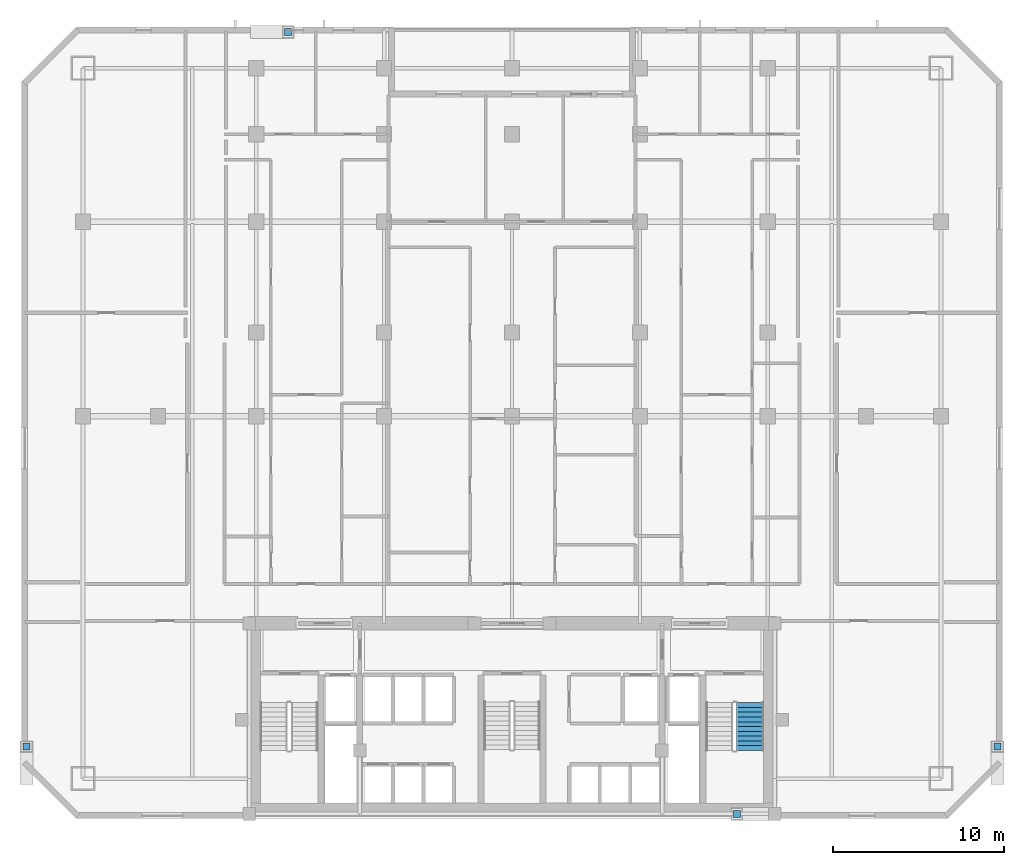
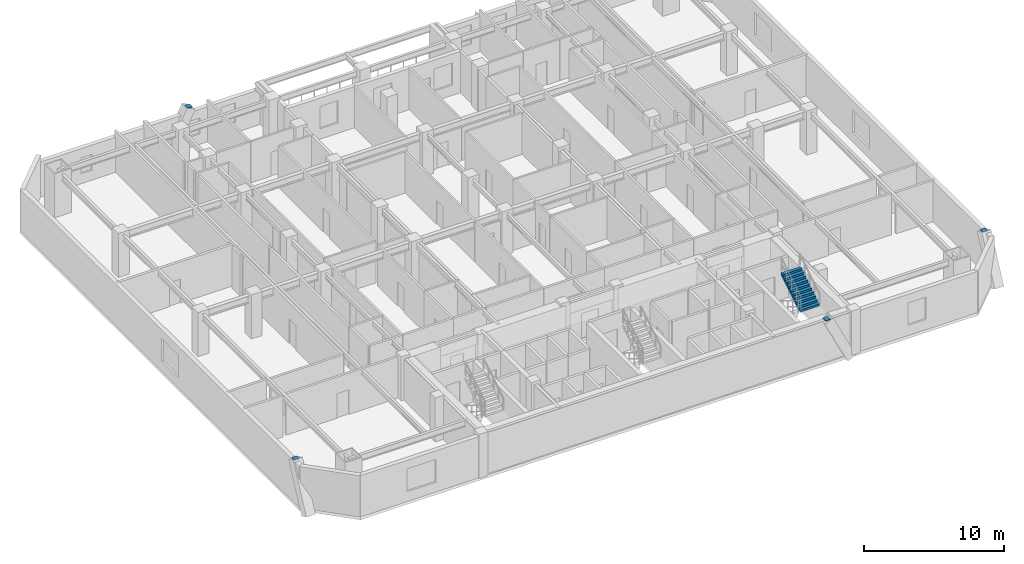
# One storey, part 8 of 10: 4 discrete accessories, 1 stair flight, 1 element without a shape of its own.
"""IFC4 building model written with IfcOpenShell, lengths in metres."""

from ifc_helpers import new_model, si_unit, direction, frame, origin, origin_2d, place, context, subcontext, project, spatial, polyline, rectangle, outline, extrude, material, type_object, element, aggregate, save


model = new_model("IFC4")

# Units and contexts
model_context = context("Model", 3, precision=1e-05, world=origin(), true_north=direction((0.0, 1.0)))
body_context = subcontext(model_context, "Body", "Model", "MODEL_VIEW")
ifc_project = project(units=[si_unit("LENGTHUNIT", "METRE"), si_unit("AREAUNIT", "SQUARE_METRE"), si_unit("VOLUMEUNIT", "CUBIC_METRE"), si_unit("PLANEANGLEUNIT", "RADIAN"), si_unit("MASSUNIT", "GRAM", prefix="KILO")], contexts=[model_context])

# Site, building, storey
site_placement = place(None, origin())
site = spatial("IfcSite", under=ifc_project, at=site_placement, CompositionType="ELEMENT")
building_placement = place(site_placement, origin())
building = spatial("IfcBuilding", under=site, at=building_placement, Name="Ventersveld Concourse Tower", CompositionType="ELEMENT")
storey_placement = place(building_placement, frame((0.0, 0.0, 60.60009765625)))
storey = spatial("IfcBuildingStorey", under=building, at=storey_placement, Name="L14", CompositionType="ELEMENT", Elevation=60.60009765625)

# Stair, stair flight
ifc_material_1 = material(Name="Concrete C50/60", Category="concrete")
stair_type = type_object("IfcStairType", Name="ST-DOG-160", PredefinedType="HALF_TURN_STAIR", material=ifc_material_1)
stair_placement = place(storey_placement, origin())
stair = element("IfcStair", 1, at=stair_placement, inside=storey, type_object=stair_type, Name="L14 Protected Tower Escape Stair ST-02", PredefinedType="HALF_TURN_STAIR")
stair_flight_type = type_object("IfcStairFlightType", Name="STF-RC-160", PredefinedType="STRAIGHT", material=ifc_material_1)
stair_flight_placement = place(storey_placement, frame((42.719970703125, 4.0, 1.9248046875), z_axis=(0.0, 0.0, 1.0), x_axis=(0.0, 1.0, 0.0)))
stair_flight = element("IfcStairFlight", 2, at=stair_flight_placement, type_object=stair_flight_type, Name="ST-02 flight 2", NumberOfRisers=11, NumberOfTreads=10, PredefinedType="STRAIGHT", RiserHeight=0.175, TreadLength=0.28, context=body_context, shape_type="SweptSolid", body=[
    extrude(outline(polyline([(0.0, 0.0), (0.0, 0.175048828125), (0.280029296875, 0.175048828125), (0.280029296875, 0.35009765625), (0.56005859375, 0.35009765625), (0.56005859375, 0.52490234375), (0.840087890625, 0.52490234375), (0.840087890625, 0.699951171875), (1.1201171875, 0.699951171875), (1.1201171875, 0.875), (1.39990234375, 0.875), (1.39990234375, 1.050048828125), (1.679931640625, 1.050048828125), (1.679931640625, 1.22509765625), (1.9599609375, 1.22509765625), (1.9599609375, 1.39990234375), (2.239990234375, 1.39990234375), (2.239990234375, 1.574951171875), (2.52001953125, 1.574951171875), (2.52001953125, 1.75), (2.800048828125, 1.75), (2.800048828125, 1.925048828125), (2.800048828125, 1.5732421875), (0.28271484375, 0.0), (0.0, 0.0)])), frame((0.0, 0.800048828125, 0.0), z_axis=(0.0, -1.0, 0.0), x_axis=(1.0, 0.0, 0.0)), (0.0, 0.0, 1.0), 1.60009765625),
])
aggregate(stair, [stair_flight])

# Discrete accessories
ifc_material_2 = material(Name="Structural steel S355J2", Category="steel")
discrete_accessory_type = type_object("IfcDiscreteAccessoryType", Name="CONN-BRACE-ECP1", PredefinedType="BRACKET", material=ifc_material_2)
for number, where, z_axis, x_axis, name in (
    (3, (15.625, 46.1201171875, 3.579833984375), (0.0, 0.0, 1.0), (1.0, 0.0, 0.0), "L14 Steel Brace End Connection Plate ECP1-0233"),
    (4, (41.925048828125, 0.280029296875, 3.579833984375), (0.0, 0.0, 1.0), (1.0, 0.0, 0.0), "L14 Steel Brace End Connection Plate ECP1-0237"),
    (5, (0.280029296875, 4.22509765625, 3.579833984375), (0.0, 0.0, 1.0), (1.0, 0.0, 0.0), "L14 Steel Brace End Connection Plate ECP1-0241"),
    (6, (57.219970703125, 4.22509765625, 3.579833984375), (0.0, 0.0, 1.0), (1.0, 0.0, 0.0), "L14 Steel Brace End Connection Plate ECP1-0245"),
):
    element("IfcDiscreteAccessory", number, at=place(storey_placement, frame(where, z_axis=z_axis, x_axis=x_axis)), inside=storey, type_object=discrete_accessory_type, Name=name, PredefinedType="BRACKET", context=body_context, shape_type="SweptSolid", body=[
        extrude(rectangle(XDim=0.419921875, YDim=0.419921875, at=origin_2d()), origin(), (0.0, 0.0, 1.0), 0.0400390625),
    ])

save(model, "model.ifc")
